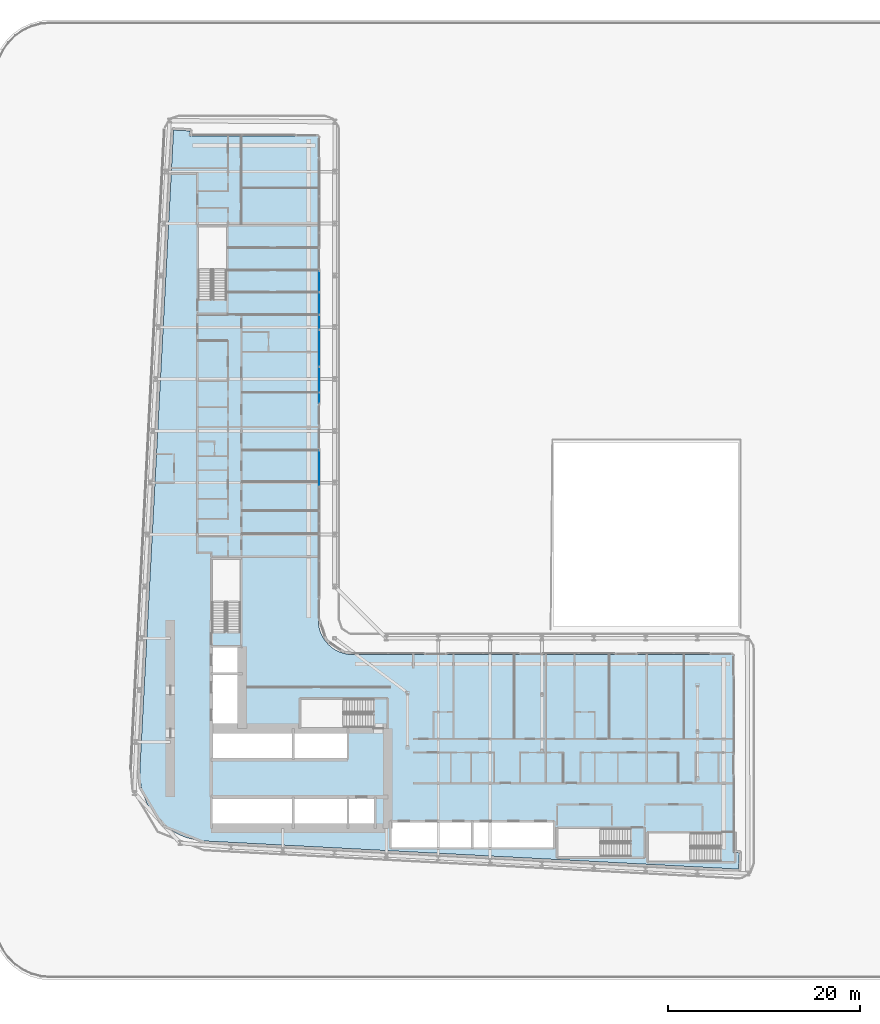
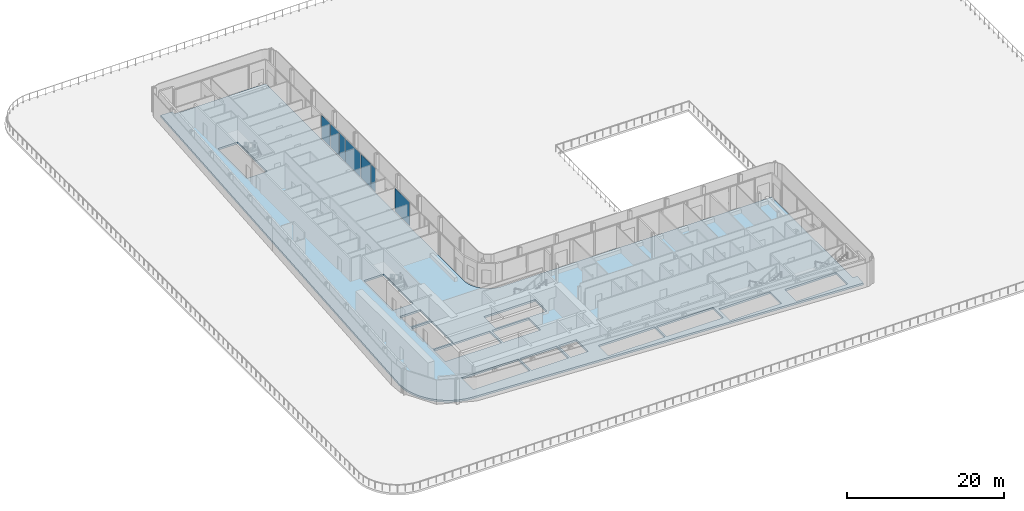
# One storey, part 10 of 27: 7 plates, 1 slab, 3 elements without a shape of their own.
"""IFC4 building model written with IfcOpenShell, lengths in metres."""

from ifc_helpers import new_model, si_unit, direction, frame, origin, origin_2d, place, context, subcontext, project, spatial, polyline, rectangle, outline, extrude, material, layer, layer_set, type_object, element, aggregate, save


model = new_model("IFC4")

# Units and contexts
model_context = context("Model", 3, precision=1e-05, world=origin(), true_north=direction((0.0, 1.0)))
body_context = subcontext(model_context, "Body", "Model", "MODEL_VIEW")
ifc_project = project(units=[si_unit("LENGTHUNIT", "METRE"), si_unit("AREAUNIT", "SQUARE_METRE"), si_unit("VOLUMEUNIT", "CUBIC_METRE"), si_unit("PLANEANGLEUNIT", "RADIAN"), si_unit("MASSUNIT", "GRAM", prefix="KILO")], contexts=[model_context])

# Site, building, storey
site_placement = place(None, origin())
site = spatial("IfcSite", under=ifc_project, at=site_placement, CompositionType="ELEMENT")
building_placement = place(site_placement, origin())
building = spatial("IfcBuilding", under=site, at=building_placement, Name="Kheshtan School and Residences Tower", CompositionType="ELEMENT")
storey_placement = place(building_placement, frame((0.0, 0.0, 30.5)))
storey = spatial("IfcBuildingStorey", under=building, at=storey_placement, Name="L06", CompositionType="ELEMENT", Elevation=30.5)

# Curtain wall, plates
ifc_material_1 = material(Name="Clear low-e glass in thermally broken aluminium frame", Category="aluminium")
ifc_layer_1 = layer(ifc_material_1, 0.199951171875)
ifc_layer_set_1 = layer_set([ifc_layer_1], Name="Curtain wall CW-L")
curtain_wall_type = type_object("IfcCurtainWallType", Name="Curtain wall CW-L", PredefinedType="NOTDEFINED", material=ifc_layer_set_1)
curtain_wall_1_placement = place(storey_placement, origin())
curtain_wall_1 = element("IfcCurtainWall", 1, at=curtain_wall_1_placement, inside=storey, type_object=curtain_wall_type, Name="Curtain wall CWL8b", PredefinedType="NOTDEFINED")
ifc_layer_2 = layer(ifc_material_1, 0.031982421875)
ifc_layer_set_2 = layer_set([ifc_layer_2], Name="CW-L glass panel")
plate_type = type_object("IfcPlateType", Name="CW-L glass panel", PredefinedType="CURTAIN_PANEL", material=ifc_layer_set_2)
plate_1_placement = place(storey_placement, frame((46.0, 82.75048828125, 0.0), z_axis=(0.0, 0.0, 1.0), x_axis=(0.0, -1.0, 0.0)))
plate_1 = element("IfcPlate", 2, at=plate_1_placement, type_object=plate_type, Name="CWL8b panel 1.1", PredefinedType="CURTAIN_PANEL", context=body_context, shape_type="SweptSolid", body=[
    extrude(rectangle(XDim=2.19091796875, YDim=0.031982421875, at=origin_2d()), origin(), (0.0, 0.0, 1.0), 3.6298828125),
])
plate_2_placement = place(storey_placement, frame((46.0, 80.46240234375, 0.0), z_axis=(0.0, 0.0, 1.0), x_axis=(0.0, -1.0, 0.0)))
plate_2 = element("IfcPlate", 3, at=plate_2_placement, type_object=plate_type, Name="CWL8b panel 2.1", PredefinedType="CURTAIN_PANEL", context=body_context, shape_type="SweptSolid", body=[
    extrude(rectangle(XDim=2.264892578125, YDim=0.031982421875, at=origin_2d()), origin(), (0.0, 0.0, 1.0), 3.6298828125),
])
plate_3_placement = place(storey_placement, frame((46.0, 78.52099609375, 0.0), z_axis=(0.0, 0.0, 1.0), x_axis=(0.0, -1.0, 0.0)))
plate_3 = element("IfcPlate", 4, at=plate_3_placement, type_object=plate_type, Name="CWL8b panel 3.1", PredefinedType="CURTAIN_PANEL", context=body_context, shape_type="SweptSolid", body=[
    extrude(rectangle(XDim=1.498046875, YDim=0.031982421875, at=origin_2d()), origin(), (0.0, 0.0, 1.0), 3.6298828125),
])
aggregate(curtain_wall_1, [plate_1, plate_2, plate_3])

curtain_wall_2_placement = place(storey_placement, origin())
curtain_wall_2 = element("IfcCurtainWall", 5, at=curtain_wall_2_placement, inside=storey, type_object=curtain_wall_type, Name="Curtain wall CWL8c", PredefinedType="NOTDEFINED")
plate_4_placement = place(storey_placement, frame((46.0, 75.803466796875, 0.0), z_axis=(0.0, 0.0, 1.0), x_axis=(0.0, -1.0, 0.0)))
plate_4 = element("IfcPlate", 6, at=plate_4_placement, type_object=plate_type, Name="CWL8c panel 1.1", PredefinedType="CURTAIN_PANEL", context=body_context, shape_type="SweptSolid", body=[
    extrude(rectangle(XDim=3.81689453125, YDim=0.031982421875, at=origin_2d()), origin(), (0.0, 0.0, 1.0), 3.6298828125),
])
plate_5_placement = place(storey_placement, frame((46.0, 72.532470703125, 0.0), z_axis=(0.0, 0.0, 1.0), x_axis=(0.0, -1.0, 0.0)))
plate_5 = element("IfcPlate", 7, at=plate_5_placement, type_object=plate_type, Name="CWL8c panel 2.1", PredefinedType="CURTAIN_PANEL", context=body_context, shape_type="SweptSolid", body=[
    extrude(rectangle(XDim=2.60498046875, YDim=0.031982421875, at=origin_2d()), origin(), (0.0, 0.0, 1.0), 3.6298828125),
])
plate_6_placement = place(storey_placement, frame((46.0, 70.6240234375, 0.0), z_axis=(0.0, 0.0, 1.0), x_axis=(0.0, -1.0, 0.0)))
plate_6 = element("IfcPlate", 8, at=plate_6_placement, type_object=plate_type, Name="CWL8c panel 3.1", PredefinedType="CURTAIN_PANEL", context=body_context, shape_type="SweptSolid", body=[
    extrude(rectangle(XDim=1.092041015625, YDim=0.031982421875, at=origin_2d()), origin(), (0.0, 0.0, 1.0), 3.6298828125),
])
aggregate(curtain_wall_2, [plate_4, plate_5, plate_6])

# Curtain wall, plate
curtain_wall_3_placement = place(storey_placement, origin())
curtain_wall_3 = element("IfcCurtainWall", 9, at=curtain_wall_3_placement, inside=storey, type_object=curtain_wall_type, Name="Curtain wall CWL8c", PredefinedType="NOTDEFINED")
plate_7_placement = place(storey_placement, frame((46.0, 63.279541015625, 0.0), z_axis=(0.0, 0.0, 1.0), x_axis=(0.0, -1.0, 0.0)))
plate_7 = element("IfcPlate", 10, at=plate_7_placement, type_object=plate_type, Name="CWL8c panel 1.1", PredefinedType="CURTAIN_PANEL", context=body_context, shape_type="SweptSolid", body=[
    extrude(rectangle(XDim=3.757080078125, YDim=0.031982421875, at=origin_2d()), origin(), (0.0, 0.0, 1.0), 3.6298828125),
])
aggregate(curtain_wall_3, [plate_7])

# Slab
ifc_material_2 = material(Name="Concrete C40/50", Category="concrete")
ifc_layer_3 = layer(ifc_material_2, 0.300048828125)
ifc_layer_set_3 = layer_set([ifc_layer_3], Name="Floor slab 300 Concrete C40/50")
slab_type = type_object("IfcSlabType", Name="Floor slab 300 Concrete C40/50", PredefinedType="FLOOR", material=ifc_layer_set_3)
slab_placement = place(storey_placement, frame((0.0, 0.0, -0.300048828125)))
element("IfcSlab", 11, at=slab_placement, inside=storey, type_object=slab_type, Name="Floor slab L06", PredefinedType="FLOOR", context=body_context, shape_type="SweptSolid", body=[
    extrude(outline(polyline([(27.718017578125, 29.200927734375), (27.466064453125, 30.093017578125), (27.466064453125, 30.093994140625), (27.3330078125, 31.013916015625), (27.320068359375, 31.965087890625), (27.320068359375, 31.970947265625), (30.822021484375, 98.5009765625), (30.822998046875, 98.508056640625), (30.825927734375, 98.531005859375), (30.825927734375, 98.531982421875), (31.422119140625, 98.5), (31.423095703125, 98.5), (31.423095703125, 98.4990234375), (31.423095703125, 98.4951171875), (31.423095703125, 98.493896484375), (31.424072265625, 98.493896484375), (31.424072265625, 98.492919921875), (31.425048828125, 98.492919921875), (31.426025390625, 98.492919921875), (31.426025390625, 98.493896484375), (31.427978515625, 98.49609375), (31.428955078125, 98.4970703125), (31.429931640625, 98.498046875), (31.430908203125, 98.498046875), (31.430908203125, 98.4990234375), (31.431884765625, 98.4990234375), (31.431884765625, 98.5), (31.43505859375, 98.5009765625), (31.43603515625, 98.501953125), (31.43896484375, 98.501953125), (31.43994140625, 98.501953125), (31.43994140625, 98.5029296875), (31.44091796875, 98.5029296875), (31.446044921875, 98.5029296875), (32.5009765625, 98.447021484375), (32.50390625, 98.447021484375), (32.5048828125, 98.447021484375), (32.5048828125, 98.446044921875), (32.506103515625, 98.446044921875), (32.510009765625, 98.446044921875), (32.510009765625, 98.445068359375), (32.510986328125, 98.445068359375), (32.510986328125, 98.444091796875), (32.511962890625, 98.444091796875), (32.511962890625, 98.443115234375), (32.512939453125, 98.443115234375), (32.513916015625, 98.443115234375), (32.513916015625, 98.44189453125), (32.514892578125, 98.44189453125), (32.51904296875, 98.43798828125), (32.51904296875, 98.43701171875), (32.52001953125, 98.43701171875), (32.52001953125, 98.43603515625), (32.52099609375, 98.43603515625), (32.52099609375, 98.43408203125), (32.52099609375, 98.43310546875), (32.52197265625, 98.43310546875), (32.52197265625, 98.431884765625), (32.52294921875, 98.431884765625), (32.52294921875, 98.430908203125), (32.52294921875, 98.428955078125), (32.52294921875, 98.427978515625), (32.52392578125, 98.427978515625), (32.52392578125, 98.427001953125), (32.52392578125, 98.422119140625), (32.4970703125, 97.9208984375), (32.4970703125, 97.91796875), (32.4970703125, 97.9169921875), (32.49609375, 97.9169921875), (32.49609375, 97.916015625), (32.49609375, 97.912109375), (32.4951171875, 97.910888671875), (32.493896484375, 97.909912109375), (32.493896484375, 97.908935546875), (32.492919921875, 97.908935546875), (32.492919921875, 97.907958984375), (32.489013671875, 97.904052734375), (32.488037109375, 97.904052734375), (32.488037109375, 97.903076171875), (32.488037109375, 97.902099609375), (32.488037109375, 97.90087890625), (32.489013671875, 97.90087890625), (32.489013671875, 97.89990234375), (32.489990234375, 97.89990234375), (45.85498046875, 97.89990234375), (45.864990234375, 97.89794921875), (45.865966796875, 97.89794921875), (45.868896484375, 97.89599609375), (45.8740234375, 97.89404296875), (45.8779296875, 97.89208984375), (45.881103515625, 97.889892578125), (45.881103515625, 97.888916015625), (45.882080078125, 97.888916015625), (45.882080078125, 97.887939453125), (45.884033203125, 97.885009765625), (45.885009765625, 97.885009765625), (45.885009765625, 97.884033203125), (45.887939453125, 97.883056640625), (45.887939453125, 97.882080078125), (45.888916015625, 97.882080078125), (45.888916015625, 97.881103515625), (45.889892578125, 97.881103515625), (45.89208984375, 97.8779296875), (45.89404296875, 97.8740234375), (45.89599609375, 97.868896484375), (45.89794921875, 97.865966796875), (45.89794921875, 97.864990234375), (45.89990234375, 97.85498046875), (45.89990234375, 47.429931640625), (45.927001953125, 47.030029296875), (46.01806640625, 46.570068359375), (46.01806640625, 46.569091796875), (46.169921875, 46.1201171875), (46.37890625, 45.697021484375), (46.638916015625, 45.30810546875), (46.949951171875, 44.950927734375), (46.950927734375, 44.949951171875), (47.30810546875, 44.638916015625), (47.697021484375, 44.37890625), (48.1201171875, 44.169921875), (48.569091796875, 44.01806640625), (48.570068359375, 44.01806640625), (49.030029296875, 43.927001953125), (49.429931640625, 43.89990234375), (89.054931640625, 43.89990234375), (89.06494140625, 43.89794921875), (89.06591796875, 43.89794921875), (89.069091796875, 43.89599609375), (89.073974609375, 43.89404296875), (89.077880859375, 43.89208984375), (89.0810546875, 43.889892578125), (89.0810546875, 43.888916015625), (89.08203125, 43.888916015625), (89.08203125, 43.887939453125), (89.0830078125, 43.887939453125), (89.083984375, 43.885009765625), (89.0849609375, 43.885009765625), (89.0849609375, 43.884033203125), (89.087890625, 43.883056640625), (89.087890625, 43.882080078125), (89.089111328125, 43.882080078125), (89.089111328125, 43.881103515625), (89.090087890625, 43.881103515625), (89.092041015625, 43.8779296875), (89.093994140625, 43.8740234375), (89.095947265625, 43.868896484375), (89.097900390625, 43.865966796875), (89.097900390625, 43.864990234375), (89.10009765625, 43.85498046875), (89.10009765625, 23.278076171875), (89.10009765625, 23.277099609375), (89.10107421875, 23.277099609375), (89.10107421875, 23.27587890625), (89.10205078125, 23.27587890625), (89.10302734375, 23.27587890625), (89.10302734375, 23.277099609375), (89.10498046875, 23.279052734375), (89.10595703125, 23.280029296875), (89.10693359375, 23.281005859375), (89.10791015625, 23.281005859375), (89.10791015625, 23.281982421875), (89.10888671875, 23.281982421875), (89.110107421875, 23.282958984375), (89.112060546875, 23.283935546875), (89.113037109375, 23.284912109375), (89.115966796875, 23.284912109375), (89.116943359375, 23.284912109375), (89.116943359375, 23.285888671875), (89.117919921875, 23.285888671875), (89.123046875, 23.285888671875), (89.738037109375, 23.2529296875), (89.740966796875, 23.2529296875), (89.741943359375, 23.2529296875), (89.741943359375, 23.251953125), (89.742919921875, 23.251953125), (89.7470703125, 23.251953125), (89.7470703125, 23.2509765625), (89.748046875, 23.2509765625), (89.748046875, 23.25), (89.7490234375, 23.25), (89.7490234375, 23.2490234375), (89.75, 23.2490234375), (89.7509765625, 23.2490234375), (89.7509765625, 23.248046875), (89.751953125, 23.248046875), (89.7529296875, 23.2470703125), (89.7548828125, 23.2451171875), (89.756103515625, 23.243896484375), (89.756103515625, 23.242919921875), (89.757080078125, 23.242919921875), (89.757080078125, 23.241943359375), (89.758056640625, 23.241943359375), (89.758056640625, 23.239990234375), (89.758056640625, 23.239013671875), (89.759033203125, 23.239013671875), (89.759033203125, 23.238037109375), (89.760009765625, 23.238037109375), (89.760009765625, 23.237060546875), (89.760009765625, 23.235107421875), (89.760009765625, 23.23388671875), (89.760986328125, 23.23388671875), (89.760986328125, 23.23291015625), (89.760986328125, 23.22802734375), (89.705078125, 22.169921875), (89.705078125, 22.1669921875), (89.705078125, 22.166015625), (89.7041015625, 22.166015625), (89.7041015625, 22.1650390625), (89.7041015625, 22.160888671875), (89.702880859375, 22.159912109375), (89.702880859375, 22.158935546875), (89.701904296875, 22.158935546875), (89.701904296875, 22.157958984375), (89.700927734375, 22.157958984375), (89.700927734375, 22.156982421875), (89.699951171875, 22.156005859375), (89.697998046875, 22.154052734375), (89.697021484375, 22.153076171875), (89.696044921875, 22.153076171875), (89.696044921875, 22.152099609375), (89.696044921875, 22.15087890625), (89.696044921875, 22.14990234375), (89.697021484375, 22.14990234375), (89.697021484375, 22.14892578125), (89.697998046875, 22.14892578125), (89.698974609375, 22.14892578125), (89.699951171875, 22.14892578125), (89.66796875, 21.553955078125), (89.66796875, 21.552978515625), (89.6669921875, 21.552978515625), (89.64306640625, 21.552001953125), (89.637939453125, 21.552001953125), (34.056884765625, 24.47802734375), (33.114990234375, 24.590087890625), (32.215087890625, 24.819091796875), (32.214111328125, 24.819091796875), (31.35205078125, 25.1630859375), (30.541015625, 25.616943359375), (29.799072265625, 26.1708984375), (29.799072265625, 26.172119140625), (29.798095703125, 26.172119140625), (29.134033203125, 26.820068359375), (29.134033203125, 26.821044921875), (29.133056640625, 26.821044921875), (28.55908203125, 27.550048828125), (28.0849609375, 28.345947265625), (27.718017578125, 29.200927734375)]), holes=[polyline([(89.10009765625, 22.155029296875), (89.10009765625, 22.15087890625), (89.10009765625, 22.14990234375), (89.10107421875, 22.14990234375), (89.10107421875, 22.14892578125), (89.10205078125, 22.14892578125), (89.10595703125, 22.14892578125), (89.10693359375, 22.14892578125), (89.10693359375, 22.14990234375), (89.10791015625, 22.14990234375), (89.10791015625, 22.15087890625), (89.10791015625, 22.152099609375), (89.10693359375, 22.152099609375), (89.10595703125, 22.153076171875), (89.10498046875, 22.154052734375), (89.10400390625, 22.155029296875), (89.10302734375, 22.156005859375), (89.10302734375, 22.156982421875), (89.10205078125, 22.156982421875), (89.10107421875, 22.156982421875), (89.10107421875, 22.156005859375), (89.10009765625, 22.156005859375), (89.10009765625, 22.155029296875)]), polyline([(31.423095703125, 97.906005859375), (31.423095703125, 97.902099609375), (31.423095703125, 97.90087890625), (31.424072265625, 97.90087890625), (31.424072265625, 97.89990234375), (31.425048828125, 97.89990234375), (31.428955078125, 97.89990234375), (31.429931640625, 97.89990234375), (31.429931640625, 97.90087890625), (31.430908203125, 97.90087890625), (31.430908203125, 97.902099609375), (31.430908203125, 97.903076171875), (31.429931640625, 97.903076171875), (31.428955078125, 97.904052734375), (31.427978515625, 97.905029296875), (31.427001953125, 97.906005859375), (31.426025390625, 97.906982421875), (31.426025390625, 97.907958984375), (31.425048828125, 97.907958984375), (31.424072265625, 97.907958984375), (31.424072265625, 97.906982421875), (31.423095703125, 97.906982421875), (31.423095703125, 97.906005859375)]), polyline([(34.875, 28.925048828125), (34.875, 25.925048828125), (43.175048828125, 25.925048828125), (43.175048828125, 28.925048828125), (34.875, 28.925048828125)]), polyline([(43.425048828125, 25.925048828125), (48.875, 25.925048828125), (48.875, 28.925048828125), (43.425048828125, 28.925048828125), (43.425048828125, 25.925048828125)]), polyline([(43.175048828125, 36.074951171875), (34.875, 36.074951171875), (34.875, 33.074951171875), (43.175048828125, 33.074951171875), (43.175048828125, 36.074951171875)]), polyline([(34.875, 41.77490234375), (34.875, 36.324951171875), (37.875, 36.324951171875), (37.875, 41.77490234375), (34.875, 41.77490234375)]), polyline([(34.875, 44.625), (34.875, 42.02490234375), (37.875, 42.02490234375), (37.875, 44.625), (34.875, 44.625)]), polyline([(37.800048828125, 46.25), (37.800048828125, 53.81005859375), (34.85009765625, 53.81005859375), (34.85009765625, 46.260009765625), (36.25, 46.260009765625), (36.25, 46.25), (37.800048828125, 46.25)]), polyline([(33.39990234375, 88.4599609375), (33.39990234375, 80.909912109375), (34.800048828125, 80.909912109375), (34.800048828125, 80.89990234375), (36.35009765625, 80.89990234375), (36.35009765625, 88.4599609375), (33.39990234375, 88.4599609375)]), polyline([(87.81005859375, 22.35009765625), (87.81005859375, 23.75), (87.820068359375, 23.75), (87.820068359375, 25.300048828125), (80.260009765625, 25.300048828125), (80.260009765625, 22.35009765625), (87.81005859375, 22.35009765625)]), polyline([(70.85009765625, 22.85009765625), (78.39990234375, 22.85009765625), (78.39990234375, 24.25), (78.409912109375, 24.25), (78.409912109375, 25.800048828125), (70.85009765625, 25.800048828125), (70.85009765625, 22.85009765625)]), polyline([(61.824951171875, 26.425048828125), (53.52490234375, 26.425048828125), (53.52490234375, 23.824951171875), (61.824951171875, 23.824951171875), (61.824951171875, 26.425048828125)]), polyline([(62.074951171875, 23.824951171875), (70.375, 23.824951171875), (70.375, 26.425048828125), (62.074951171875, 26.425048828125), (62.074951171875, 23.824951171875)]), polyline([(49.125, 28.925048828125), (49.125, 25.925048828125), (51.72509765625, 25.925048828125), (51.72509765625, 28.925048828125), (49.125, 28.925048828125)]), polyline([(43.425048828125, 33.074951171875), (48.875, 33.074951171875), (48.875, 36.074951171875), (43.425048828125, 36.074951171875), (43.425048828125, 33.074951171875)]), polyline([(51.64990234375, 39.25), (44.090087890625, 39.25), (44.090087890625, 36.300048828125), (51.639892578125, 36.300048828125), (51.639892578125, 37.699951171875), (51.64990234375, 37.699951171875), (51.64990234375, 39.25)])]), origin(), (0.0, 0.0, 1.0), 0.300048828125),
])

save(model, "model.ifc")
